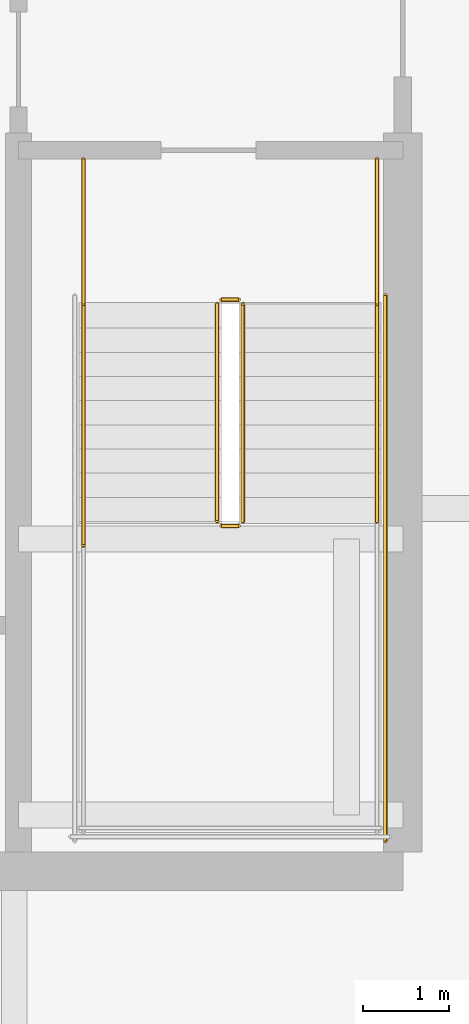
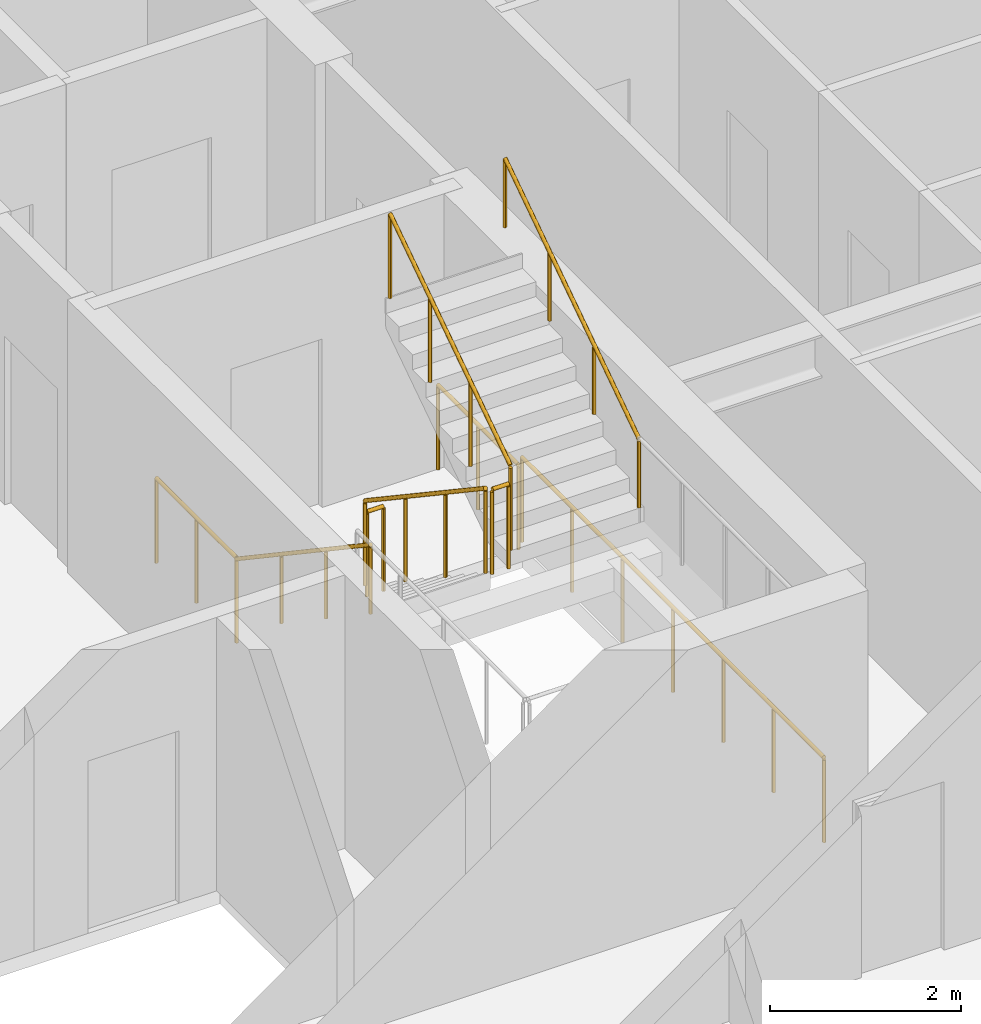
# One storey, part 38 of 41: 9 railings.
"""IFC4 building model written with IfcOpenShell, lengths in metres."""

from ifc_helpers import new_model, si_unit, direction, frame, origin, origin_2d, place, context, subcontext, project, spatial, circle, extrude, material, type_object, element, save


model = new_model("IFC4")

# Units and contexts
model_context = context("Model", 3, precision=1e-05, world=origin(), true_north=direction((0.0, 1.0)))
body_context = subcontext(model_context, "Body", "Model", "MODEL_VIEW")
ifc_project = project(units=[si_unit("LENGTHUNIT", "METRE"), si_unit("AREAUNIT", "SQUARE_METRE"), si_unit("VOLUMEUNIT", "CUBIC_METRE"), si_unit("PLANEANGLEUNIT", "RADIAN"), si_unit("MASSUNIT", "GRAM", prefix="KILO")], contexts=[model_context])

# Site, building, storey
site_placement = place(None, origin())
site = spatial("IfcSite", under=ifc_project, at=site_placement, CompositionType="ELEMENT")
building_placement = place(site_placement, origin())
building = spatial("IfcBuilding", under=site, at=building_placement, Name="Serunith Strait Residences", CompositionType="ELEMENT")
storey_placement = place(building_placement, frame((0.0, 0.0, 45.449951171875)))
storey = spatial("IfcBuildingStorey", under=building, at=storey_placement, Name="L10", CompositionType="ELEMENT", Elevation=45.449951171875)

# Railings
ifc_material = material(Name="Brushed stainless steel 316L", Category="steel")
railing_type_1 = type_object("IfcRailingType", Name="RLG-STAIR-GUARD", PredefinedType="BALUSTRADE", material=ifc_material)
railing_1_placement = place(storey_placement, frame((39.25, 23.3701171875, 0.1875)))
element("IfcRailing", 1, at=railing_1_placement, inside=storey, type_object=railing_type_1, Name="L10 ST-2 stair guard 1", PredefinedType="BALUSTRADE", context=body_context, shape_type="SweptSolid", body=[
    extrude(circle(Radius=0.02392578125, at=origin_2d()), frame((0.0, -0.001708984375, 1.0771484375), z_axis=(0.0, -0.830909170722, 0.55640807867), x_axis=(1.0, 0.0, 0.0)), (0.0, 0.0, 1.0), 3.02880859375),
    extrude(circle(Radius=0.02099609375, at=origin_2d()), origin(), (0.0, 0.0, 1.0), 1.050048828125),
    extrude(circle(Radius=0.02099609375, at=origin_2d()), frame((0.0, -0.840087890625, 0.5625)), (0.0, 0.0, 1.0), 1.050048828125),
    extrude(circle(Radius=0.02099609375, at=origin_2d()), frame((0.0, -1.679931640625, 1.125)), (0.0, 0.0, 1.0), 1.050048828125),
    extrude(circle(Radius=0.02099609375, at=origin_2d()), frame((0.0, -2.52001953125, 1.6875)), (0.0, 0.0, 1.0), 1.050048828125),
])
railing_2_placement = place(storey_placement, frame((39.300048828125, 20.800048828125, 1.875)))
element("IfcRailing", 2, at=railing_2_placement, inside=storey, type_object=railing_type_1, Name="L10 ST-2 stair guard 2", PredefinedType="BALUSTRADE", context=body_context, shape_type="SweptSolid", body=[
    extrude(circle(Radius=0.02392578125, at=origin_2d()), frame((0.001953125, 0.0, 1.076171875), z_axis=(1.0, 0.0, 0.0), x_axis=(0.0, 1.0, 0.0)), (0.0, 0.0, 1.0), 0.196044921875),
    extrude(circle(Radius=0.02099609375, at=origin_2d()), origin(), (0.0, 0.0, 1.0), 1.050048828125),
    extrude(circle(Radius=0.02099609375, at=origin_2d()), frame((0.199951171875, 0.0, 0.0)), (0.0, 0.0, 1.0), 1.050048828125),
])
railing_3_placement = place(storey_placement, frame((39.550048828125, 20.85009765625, 2.0625)))
element("IfcRailing", 3, at=railing_3_placement, inside=storey, type_object=railing_type_1, Name="L10 ST-2 stair guard 6", PredefinedType="BALUSTRADE", context=body_context, shape_type="SweptSolid", body=[
    extrude(circle(Radius=0.02392578125, at=origin_2d()), frame((0.0, 0.001708984375, 1.0771484375), z_axis=(0.0, 0.830909170722, 0.55640807867), x_axis=(-1.0, 0.0, 0.0)), (0.0, 0.0, 1.0), 3.02880859375),
    extrude(circle(Radius=0.02099609375, at=origin_2d()), origin(), (0.0, 0.0, 1.0), 1.050048828125),
    extrude(circle(Radius=0.02099609375, at=origin_2d()), frame((0.0, 0.840087890625, 0.5625)), (0.0, 0.0, 1.0), 1.050048828125),
    extrude(circle(Radius=0.02099609375, at=origin_2d()), frame((0.0, 1.679931640625, 1.125)), (0.0, 0.0, 1.0), 1.050048828125),
    extrude(circle(Radius=0.02099609375, at=origin_2d()), frame((0.0, 2.52001953125, 1.6875)), (0.0, 0.0, 1.0), 1.050048828125),
])
railing_4_placement = place(storey_placement, frame((39.300048828125, 23.419921875, 0.0)))
element("IfcRailing", 4, at=railing_4_placement, inside=storey, type_object=railing_type_1, Name="L10 ST-2 stair guard 7", PredefinedType="BALUSTRADE", context=body_context, shape_type="SweptSolid", body=[
    extrude(circle(Radius=0.02392578125, at=origin_2d()), frame((0.001953125, 0.0, 1.076171875), z_axis=(1.0, 0.0, 0.0), x_axis=(0.0, 1.0, 0.0)), (0.0, 0.0, 1.0), 0.196044921875),
    extrude(circle(Radius=0.02099609375, at=origin_2d()), origin(), (0.0, 0.0, 1.0), 1.050048828125),
    extrude(circle(Radius=0.02099609375, at=origin_2d()), frame((0.199951171875, 0.0, 0.0)), (0.0, 0.0, 1.0), 1.050048828125),
])
for number, where, name in (
    (5, (37.699951171875, 25.050048828125, 0.0), "L10 ST-2 stair guard 8"),
    (6, (41.10009765625, 25.050048828125, 0.0), "L10 ST-2 stair guard 9"),
):
    element("IfcRailing", number, at=place(storey_placement, frame(where)), inside=storey, type_object=railing_type_1, Name=name, PredefinedType="BALUSTRADE", context=body_context, shape_type="SweptSolid", body=[
        extrude(circle(Radius=0.02392578125, at=origin_2d()), frame((0.0, -0.001953125, 1.076171875), z_axis=(0.0, -1.0, 0.0), x_axis=(1.0, 0.0, 0.0)), (0.0, 0.0, 1.0), 1.676025390625),
        extrude(circle(Radius=0.02099609375, at=origin_2d()), origin(), (0.0, 0.0, 1.0), 1.050048828125),
        extrude(circle(Radius=0.02099609375, at=origin_2d()), frame((0.0, -0.83984375, 0.0)), (0.0, 0.0, 1.0), 1.050048828125),
        extrude(circle(Radius=0.02099609375, at=origin_2d()), frame((0.0, -1.679931640625, 0.0)), (0.0, 0.0, 1.0), 1.050048828125),
    ])
railing_5_placement = place(storey_placement, frame((41.199951171875, 23.469970703125, 0.0)))
element("IfcRailing", 7, at=railing_5_placement, inside=storey, type_object=railing_type_1, Name="L10 ST-2 stair guard 11", PredefinedType="BALUSTRADE", context=body_context, shape_type="SweptSolid", body=[
    extrude(circle(Radius=0.02392578125, at=origin_2d()), frame((0.0, -0.001953125, 1.076171875), z_axis=(0.0, -1.0, 0.0), x_axis=(1.0, 0.0, 0.0)), (0.0, 0.0, 1.0), 6.316162109375),
    extrude(circle(Radius=0.02099609375, at=origin_2d()), origin(), (0.0, 0.0, 1.0), 1.050048828125),
    extrude(circle(Radius=0.02099609375, at=origin_2d()), frame((0.0, -1.05322265625, 0.0)), (0.0, 0.0, 1.0), 1.050048828125),
    extrude(circle(Radius=0.02099609375, at=origin_2d()), frame((0.0, -2.106689453125, 0.0)), (0.0, 0.0, 1.0), 1.050048828125),
    extrude(circle(Radius=0.02099609375, at=origin_2d()), frame((0.0, -3.16015625, 0.0)), (0.0, 0.0, 1.0), 1.050048828125),
    extrude(circle(Radius=0.02099609375, at=origin_2d()), frame((0.0, -4.21337890625, 0.0)), (0.0, 0.0, 1.0), 1.050048828125),
    extrude(circle(Radius=0.02099609375, at=origin_2d()), frame((0.0, -5.2666015625, 0.0)), (0.0, 0.0, 1.0), 1.050048828125),
    extrude(circle(Radius=0.02099609375, at=origin_2d()), frame((0.0, -6.320068359375, 0.0)), (0.0, 0.0, 1.0), 1.050048828125),
])
railing_type_2 = type_object("IfcRailingType", Name="RLG-STAIR-HR", PredefinedType="HANDRAIL", material=ifc_material)
railing_6_placement = place(storey_placement, frame((37.699951171875, 23.3701171875, 0.1875)))
element("IfcRailing", 8, at=railing_6_placement, inside=storey, type_object=railing_type_2, Name="L10 ST-2 stair handrail 1", PredefinedType="HANDRAIL", context=body_context, shape_type="SweptSolid", body=[
    extrude(circle(Radius=0.02392578125, at=origin_2d()), frame((0.0, -0.001708984375, 0.876953125), z_axis=(0.0, -0.830208209119, 0.557453432594), x_axis=(1.0, 0.0, 0.0)), (0.0, 0.0, 1.0), 3.36865234375),
    extrude(circle(Radius=0.02099609375, at=origin_2d()), origin(), (0.0, 0.0, 1.0), 0.849853515625),
    extrude(circle(Radius=0.02099609375, at=origin_2d()), frame((0.0, -0.933349609375, 0.626708984375)), (0.0, 0.0, 1.0), 0.849853515625),
    extrude(circle(Radius=0.02099609375, at=origin_2d()), frame((0.0, -1.86669921875, 1.25341796875)), (0.0, 0.0, 1.0), 0.849853515625),
    extrude(circle(Radius=0.02099609375, at=origin_2d()), frame((0.0, -2.800048828125, 1.880126953125)), (0.0, 0.0, 1.0), 0.849853515625),
])
railing_7_placement = place(storey_placement, frame((41.10009765625, 20.85009765625, 2.0625)))
element("IfcRailing", 9, at=railing_7_placement, inside=storey, type_object=railing_type_2, Name="L10 ST-2 stair handrail 2", PredefinedType="HANDRAIL", context=body_context, shape_type="SweptSolid", body=[
    extrude(circle(Radius=0.02392578125, at=origin_2d()), frame((0.0, 0.001708984375, 0.876953125), z_axis=(0.0, 0.830185712471, 0.557486935101), x_axis=(-1.0, 0.0, 0.0)), (0.0, 0.0, 1.0), 3.368408203125),
    extrude(circle(Radius=0.02099609375, at=origin_2d()), origin(), (0.0, 0.0, 1.0), 0.849853515625),
    extrude(circle(Radius=0.02099609375, at=origin_2d()), frame((0.0, 0.933349609375, 0.626708984375)), (0.0, 0.0, 1.0), 0.849853515625),
    extrude(circle(Radius=0.02099609375, at=origin_2d()), frame((0.0, 1.866455078125, 1.25341796875)), (0.0, 0.0, 1.0), 0.849853515625),
    extrude(circle(Radius=0.02099609375, at=origin_2d()), frame((0.0, 2.7998046875, 1.880126953125)), (0.0, 0.0, 1.0), 0.849853515625),
])

save(model, "model.ifc")
